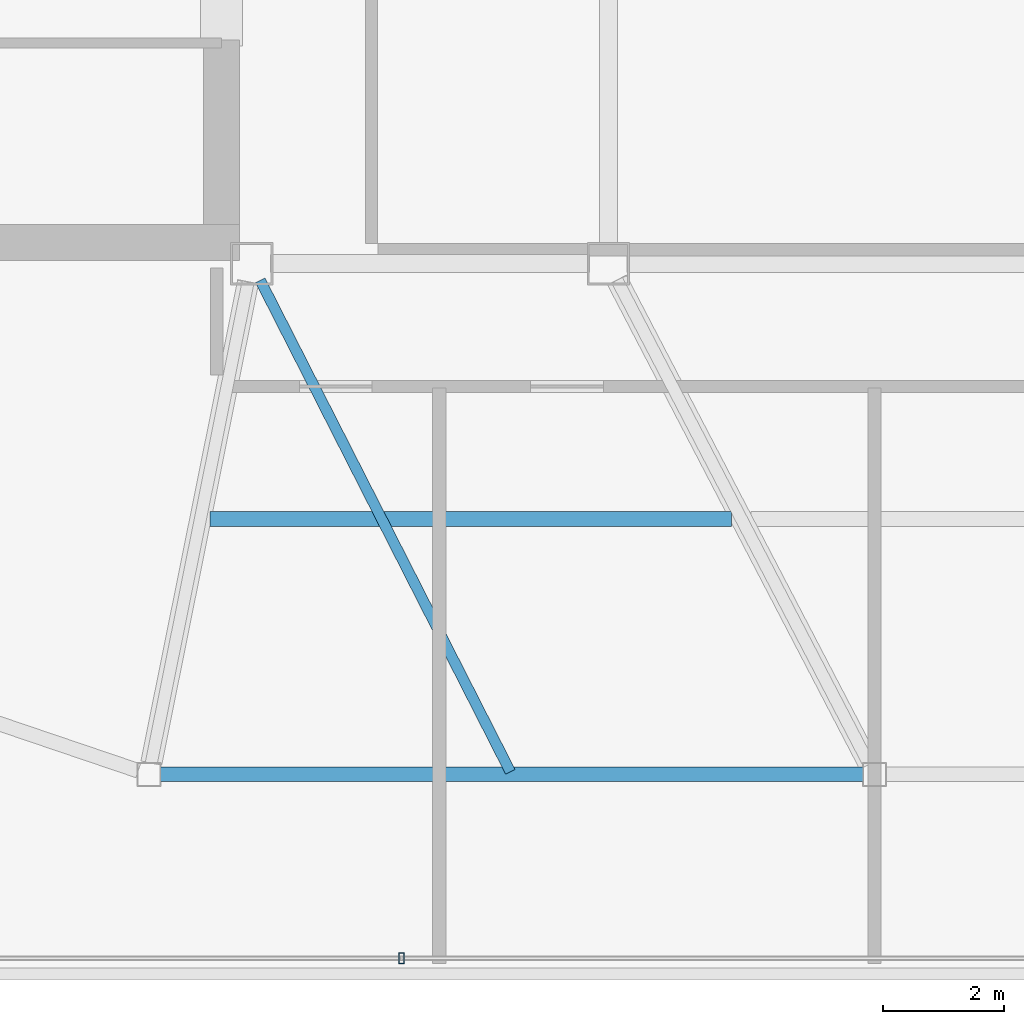
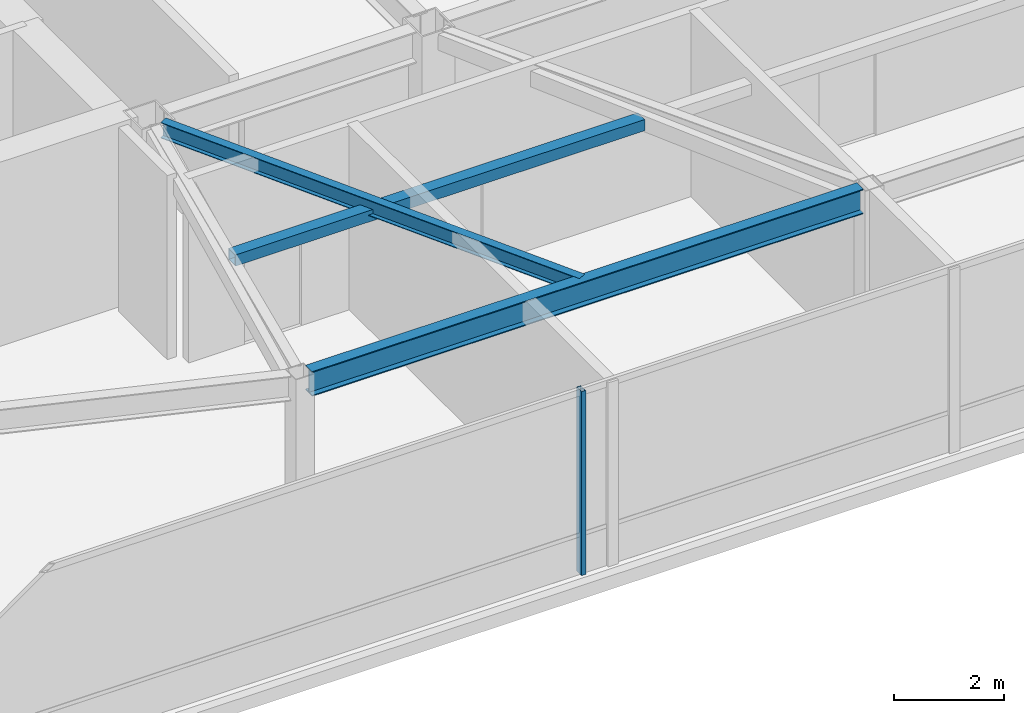
# One storey, part 4 of 21: 2 beams, 2 members, 1 element without a shape of its own.
"""IFC4 building model written with IfcOpenShell, lengths in metres."""

import ifcopenshell
import ifcopenshell.guid

model = None  # the IFC model being written
_history = None  # IfcOwnerHistory: only IFC2X3 demands one
_inside = {}  # id of a spatial element -> (the spatial element, [elements in it])
_under = {}  # id of a project, library or spatial element -> (it, [spatial elements below it])
_declared = {}  # id of a project -> (the project, [libraries it declares])
_typed = {}  # id of a type object -> (the type object, [elements of that type])
_made_of = {}  # id of a material, layer set ... -> (it, [elements and type objects made of it])


def new_model(schema):
    """Start an empty IFC model of exactly this schema.

    Asked for "IFC4X3", IfcOpenShell would pick the latest addendum, in which some entities
    have other attributes; the version numbers below select the first issue.
    IFC2X3 requires an IfcOwnerHistory on every rooted entity: one is made here for all.
    """
    global model, _history
    if schema == "IFC4X3":
        model = ifcopenshell.file(schema_version=(4, 3, 0, 0))
    else:
        model = ifcopenshell.file(schema=schema)
    _inside.clear()
    _under.clear()
    _declared.clear()
    _typed.clear()
    _made_of.clear()
    _history = None
    if model.schema == "IFC2X3":
        org = make("IfcOrganization", Name="unknown")
        user = make(
            "IfcPersonAndOrganization",
            ThePerson=make("IfcPerson", FamilyName="unknown"),
            TheOrganization=org,
        )
        app = make(
            "IfcApplication",
            ApplicationDeveloper=org,
            Version="unknown",
            ApplicationFullName="unknown",
            ApplicationIdentifier="unknown",
        )
        _history = make(
            "IfcOwnerHistory",
            OwningUser=user,
            OwningApplication=app,
            ChangeAction="ADDED",
            CreationDate=0,
        )
    return model


def make(cls, **values):
    """One entity of the class cls with the attributes given. An attribute that is None is left unset."""
    return model.create_entity(
        cls, **{name: value for name, value in values.items() if value is not None}
    )


def rooted(cls, **values):
    """An entity with a GlobalId (a new one), such as an element, a storey or a relation."""
    return make(cls, GlobalId=ifcopenshell.guid.new(), OwnerHistory=_history, **values)


def si_unit(unit_type, name, prefix=None):
    """IfcSIUnit, for example si_unit("LENGTHUNIT", "METRE", prefix="MILLI")."""
    return make("IfcSIUnit", UnitType=unit_type, Prefix=prefix, Name=name)


def assignment(units):
    """IfcUnitAssignment: the units of a project."""
    return None if units is None else make("IfcUnitAssignment", Units=units)


def point(xyz):
    """IfcCartesianPoint."""
    return None if xyz is None else make("IfcCartesianPoint", Coordinates=xyz)


def direction(xyz):
    """IfcDirection."""
    return None if xyz is None else make("IfcDirection", DirectionRatios=xyz)


def frame(location, z_axis=None, x_axis=None):
    """IfcAxis2Placement3D, a coordinate frame: its origin and axes. An axis left out is left unset."""
    return make(
        "IfcAxis2Placement3D",
        Location=point(location),
        Axis=direction(z_axis),
        RefDirection=direction(x_axis),
    )


def frame_2d(location, x_axis=None):
    """IfcAxis2Placement2D, a coordinate frame in the plane: its origin and x axis."""
    return make(
        "IfcAxis2Placement2D", Location=point(location), RefDirection=direction(x_axis)
    )


def origin():
    """The frame at (0, 0, 0) with its axes left unset."""
    return frame((0.0, 0.0, 0.0))


def origin_2d():
    """The frame at (0, 0) in the plane with its x axis left unset."""
    return frame_2d((0.0, 0.0))


def place(relative_to, where):
    """IfcLocalPlacement: puts the frame where relative to a parent placement (None: the world)."""
    return make(
        "IfcLocalPlacement", PlacementRelTo=relative_to, RelativePlacement=where
    )


def context(
    kind, dimensions, precision=None, world=None, true_north=None, identifier=None
):
    """IfcGeometricRepresentationContext, for example the 3D "Model" context."""
    return make(
        "IfcGeometricRepresentationContext",
        ContextIdentifier=identifier,
        ContextType=kind,
        CoordinateSpaceDimension=dimensions,
        Precision=precision,
        WorldCoordinateSystem=world,
        TrueNorth=true_north,
    )


def subcontext(parent, identifier, kind, view, scale=None):
    """IfcGeometricRepresentationSubContext, for example "Body" below "Model"."""
    return make(
        "IfcGeometricRepresentationSubContext",
        ContextIdentifier=identifier,
        ContextType=kind,
        ParentContext=parent,
        TargetScale=scale,
        TargetView=view,
    )


def project(units=None, contexts=None):
    """IfcProject with its units and contexts."""
    return rooted(
        "IfcProject",
        Name="project",
        RepresentationContexts=contexts,
        UnitsInContext=assignment(units),
    )


def spatial(cls, under=None, at=None, **own):
    """A site, building, storey or space (cls), placed at a placement, below another one or the project."""
    s = rooted(cls, ObjectPlacement=at, **own)
    if under is not None:
        _under.setdefault(under.id(), (under, []))[1].append(s)
    return s


def profile(cls, at=None, kind="AREA", **sizes):
    """A parametric profile (cls). Its sizes go by their IFC names, for example OverallWidth=200.0."""
    return make(cls, ProfileType=kind, Position=at, **sizes)


def hollow_rectangle(**sizes):
    """IfcRectangleHollowProfileDef."""
    return profile("IfcRectangleHollowProfileDef", **sizes)


def i_section(**sizes):
    """IfcIShapeProfileDef."""
    return profile("IfcIShapeProfileDef", **sizes)


def extrude(swept, where, along, depth):
    """IfcExtrudedAreaSolid: the profile swept, set in the frame where, extruded along a direction by depth."""
    return make(
        "IfcExtrudedAreaSolid",
        SweptArea=swept,
        Position=where,
        ExtrudedDirection=direction(along),
        Depth=depth,
    )


def shape(context_of_items, identifier, shape_type, items):
    """IfcShapeRepresentation: the items that make up one representation, for example the "Body"."""
    return make(
        "IfcShapeRepresentation",
        ContextOfItems=context_of_items,
        RepresentationIdentifier=identifier,
        RepresentationType=shape_type,
        Items=items,
    )


def material(Name=None, Category=None):
    """IfcMaterial."""
    return make("IfcMaterial", Name=Name, Category=Category)


def layer(
    of_material, thickness, ventilated=None, Name=None, Category=None, Priority=None
):
    """IfcMaterialLayer: one layer of a wall or slab, of a material (None: an air gap)."""
    return make(
        "IfcMaterialLayer",
        Material=of_material,
        LayerThickness=thickness,
        IsVentilated=ventilated,
        Name=Name,
        Category=Category,
        Priority=Priority,
    )


def layer_set(layers, Name=None):
    """IfcMaterialLayerSet."""
    return make("IfcMaterialLayerSet", MaterialLayers=layers, LayerSetName=Name)


def material_profile(
    of_material, cross_section, Name=None, Category=None, Priority=None
):
    """IfcMaterialProfile: a cross section and its material."""
    return make(
        "IfcMaterialProfile",
        Name=Name,
        Material=of_material,
        Profile=cross_section,
        Priority=Priority,
        Category=Category,
    )


def profile_set(profiles, Name=None, composite=None):
    """IfcMaterialProfileSet."""
    return make(
        "IfcMaterialProfileSet",
        Name=Name,
        MaterialProfiles=profiles,
        CompositeProfile=composite,
    )


def made_of(thing, what):
    """Note that an element or type object is made of a material, layer set ...; save() writes the relation."""
    if what is not None:
        _made_of.setdefault(what.id(), (what, []))[1].append(thing)
    return thing


def type_object(cls, material=None, **own):
    """A type object (cls), such as IfcWallType, which elements share."""
    return made_of(rooted(cls, **own), material)


def element(
    cls,
    number,
    at=None,
    inside=None,
    cuts=None,
    type_object=None,
    material=None,
    context=None,
    identifier="Body",
    shape_type=None,
    held_by="IfcProductDefinitionShape",
    body=None,
    shapes=None,
    **own,
):
    """One element of the class cls, such as IfcWall. Its Tag is "e" and its number.

    at: its placement. inside: the storey or other place that contains it. cuts: it is an
    opening in that element (IfcRelVoidsElement). A single representation is given by context,
    identifier, shape_type and body (its items); several are given by shapes. held_by: the class
    of the entity that holds the representations. save() writes the other relations.
    """
    e = rooted(cls, Tag="e%d" % number, ObjectPlacement=at, **own)
    if body is not None:
        shapes = [shape(context, identifier, shape_type, body)]
    if shapes is not None:
        e.Representation = make(held_by, Representations=shapes)
    if inside is not None:
        _inside.setdefault(inside.id(), (inside, []))[1].append(e)
    if cuts is not None:
        rooted(
            "IfcRelVoidsElement", RelatingBuildingElement=cuts, RelatedOpeningElement=e
        )
    if type_object is not None:
        _typed.setdefault(type_object.id(), (type_object, []))[1].append(e)
    return made_of(e, material)


def aggregate(whole, parts):
    """IfcRelAggregates: a whole, such as a stair, and the parts it consists of."""
    return rooted("IfcRelAggregates", RelatingObject=whole, RelatedObjects=parts)


def save(model, path):
    """Write the relations noted so far, then the file.

    IfcRelAggregates (storeys below a building ...), IfcRelContainedInSpatialStructure (elements
    in a storey), IfcRelDefinesByType, IfcRelAssociatesMaterial and IfcRelDeclares: one each for
    every whole, place, type object, material and project.
    """
    for whole, parts in _under.values():
        aggregate(whole, parts)
    for where, things in _inside.values():
        rooted(
            "IfcRelContainedInSpatialStructure",
            RelatedElements=things,
            RelatingStructure=where,
        )
    for kind, things in _typed.values():
        rooted("IfcRelDefinesByType", RelatedObjects=things, RelatingType=kind)
    for what, things in _made_of.values():
        rooted("IfcRelAssociatesMaterial", RelatedObjects=things, RelatingMaterial=what)
    for by, libraries in _declared.values():
        rooted("IfcRelDeclares", RelatingContext=by, RelatedDefinitions=libraries)
    model.write(path)


model = new_model("IFC4")

# Units and contexts
model_context = context("Model", 3, precision=1e-05, world=origin(), true_north=direction((0.0, 1.0)))
body_context = subcontext(model_context, "Body", "Model", "MODEL_VIEW")
ifc_project = project(units=[si_unit("LENGTHUNIT", "METRE"), si_unit("AREAUNIT", "SQUARE_METRE"), si_unit("VOLUMEUNIT", "CUBIC_METRE"), si_unit("PLANEANGLEUNIT", "RADIAN"), si_unit("MASSUNIT", "GRAM", prefix="KILO")], contexts=[model_context])

# Site, building, storey
site_placement = place(None, origin())
site = spatial("IfcSite", under=ifc_project, at=site_placement, CompositionType="ELEMENT")
building_placement = place(site_placement, origin())
building = spatial("IfcBuilding", under=site, at=building_placement, Name="Tavrogorsk Clinical Tower", CompositionType="ELEMENT")
storey_placement = place(building_placement, frame((0.0, 0.0, 344.199951171875)))
storey = spatial("IfcBuildingStorey", under=building, at=storey_placement, Name="L80", CompositionType="ELEMENT", Elevation=344.199951171875)

# Member
ifc_material_1 = material(Name="Structural steel S355", Category="steel")
ifc_material_profile_1 = material_profile(ifc_material_1, hollow_rectangle(XDim=0.25, YDim=0.25, WallThickness=0.012451171875, at=origin_2d()), Name="SHS-250x250x12.5")
ifc_profile_set_1 = profile_set([ifc_material_profile_1], Name="Structural steel S355")
member_type_1 = type_object("IfcMemberType", Name="CrownFacetPurlin_SHS250", PredefinedType="PURLIN", material=ifc_profile_set_1)
member_1_placement = place(storey_placement, frame((-10.989990234375, -10.574951171875, 3.72998046875), z_axis=(1.0, 0.0, 0.0), x_axis=(0.0, 1.0, 0.0)))
element("IfcMember", 1, at=member_1_placement, inside=storey, type_object=member_type_1, Name="L80 Crown Facet Purlin S-1", PredefinedType="PURLIN", context=body_context, shape_type="SweptSolid", body=[
    extrude(hollow_rectangle(XDim=0.25, YDim=0.25, WallThickness=0.012451171875, at=origin_2d()), origin(), (0.0, 0.0, 1.0), 8.6298828125),
])

# Curtain wall, member
ifc_material_2 = material(Name="Anodised aluminium and triple IGU glazing", Category="aluminium")
ifc_layer = layer(ifc_material_2, 0.179931640625)
ifc_layer_set = layer_set([ifc_layer], Name="Anodised aluminium and triple IGU glazing")
curtain_wall_type = type_object("IfcCurtainWallType", Name="CW5_SkyLobby", PredefinedType="NOTDEFINED", material=ifc_layer_set)
curtain_wall_placement = place(storey_placement, origin())
curtain_wall = element("IfcCurtainWall", 2, at=curtain_wall_placement, inside=storey, type_object=curtain_wall_type, Name="L80 Curtain Wall CW-L80-DRUM-8", PredefinedType="NOTDEFINED")
ifc_material_3 = material(Name="Anodised aluminium alloy AW-6060", Category="aluminium")
ifc_material_profile_2 = material_profile(ifc_material_3, hollow_rectangle(XDim=0.090087890625, YDim=0.179931640625, WallThickness=0.00634765625, at=origin_2d()), Name="RHS-180x90x6.3")
ifc_profile_set_2 = profile_set([ifc_material_profile_2], Name="Anodised aluminium alloy AW-6060")
member_type_2 = type_object("IfcMemberType", Name="CwMullion_180x90", PredefinedType="MULLION", material=ifc_profile_set_2)
member_2_placement = place(storey_placement, frame((-7.824462890625, -17.840087890625, 0.0), z_axis=(0.0, 0.0, 1.0), x_axis=(-1.0, 0.0, 0.0)))
member_2 = element("IfcMember", 3, at=member_2_placement, type_object=member_type_2, Name="CW-L80-DRUM-8 Mullion 3", PredefinedType="MULLION", context=body_context, shape_type="SweptSolid", body=[
    extrude(hollow_rectangle(XDim=0.090087890625, YDim=0.179931640625, WallThickness=0.00634765625, at=origin_2d()), origin(), (0.0, 0.0, 1.0), 4.10009765625),
])
aggregate(curtain_wall, [member_2])

# Beams
ifc_material_4 = material(Name="Structural steel S355", Category="steel")
ifc_material_profile_3 = material_profile(ifc_material_4, i_section(OverallWidth=0.175048828125, OverallDepth=0.35009765625, WebThickness=0.009521484375, FlangeThickness=0.013916015625, at=origin_2d()), Name="B-350x175x9.5x14")
ifc_profile_set_3 = profile_set([ifc_material_profile_3], Name="Structural steel S355")
beam_type_1 = type_object("IfcBeamType", Name="SecondaryJoist_B350", PredefinedType="JOIST", material=ifc_profile_set_3)
beam_1_placement = place(storey_placement, frame((-10.159423828125, -6.626220703125, 3.925048828125), z_axis=(0.4535299827, -0.891241019474, 0.0), x_axis=(0.891241019474, 0.4535299827, 0.0)))
element("IfcBeam", 4, at=beam_1_placement, inside=storey, type_object=beam_type_1, Name="L80 Crown Secondary Joist 01", PredefinedType="JOIST", context=body_context, shape_type="SweptSolid", body=[
    extrude(i_section(OverallWidth=0.175048828125, OverallDepth=0.35009765625, WebThickness=0.009521484375, FlangeThickness=0.013916015625, at=origin_2d()), origin(), (0.0, 0.0, 1.0), 9.12109375),
])
ifc_material_5 = material(Name="Structural steel S390", Category="steel")
ifc_material_profile_4 = material_profile(ifc_material_5, i_section(OverallWidth=0.239990234375, OverallDepth=0.550048828125, WebThickness=0.013916015625, FlangeThickness=0.02197265625, at=origin_2d()), Name="B-550x240x14x22")
ifc_profile_set_4 = profile_set([ifc_material_profile_4], Name="Structural steel S390")
beam_type_2 = type_object("IfcBeamType", Name="SpandrelBeam_B550", PredefinedType="SPANDREL", material=ifc_profile_set_4)
beam_2_placement = place(storey_placement, frame((-11.81005859375, -14.800048828125, 3.824951171875), z_axis=(1.0, 0.0, 0.0), x_axis=(0.0, 1.0, 0.0)))
element("IfcBeam", 5, at=beam_2_placement, inside=storey, type_object=beam_type_2, Name="L80 Crown Spandrel Beam 01", PredefinedType="SPANDREL", context=body_context, shape_type="SweptSolid", body=[
    extrude(i_section(OverallWidth=0.239990234375, OverallDepth=0.550048828125, WebThickness=0.013916015625, FlangeThickness=0.02197265625, at=origin_2d()), origin(), (0.0, 0.0, 1.0), 11.6201171875),
])

save(model, "model.ifc")
